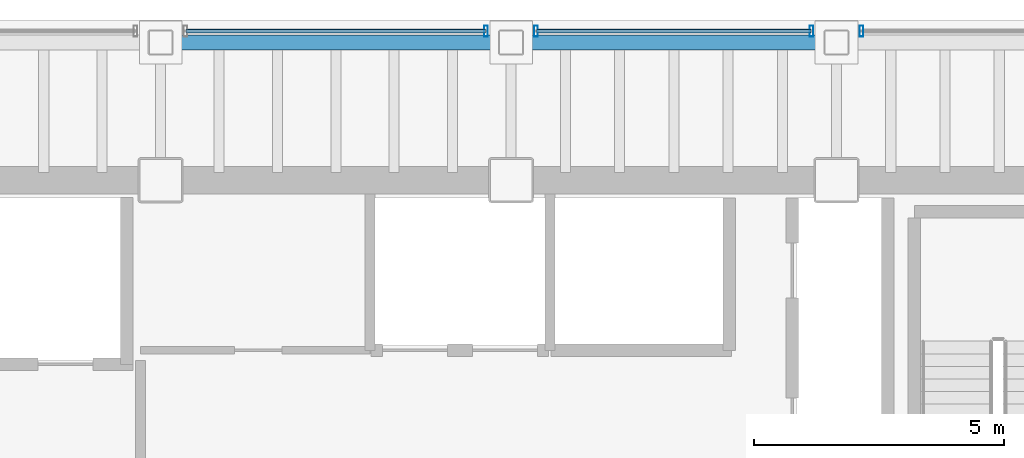
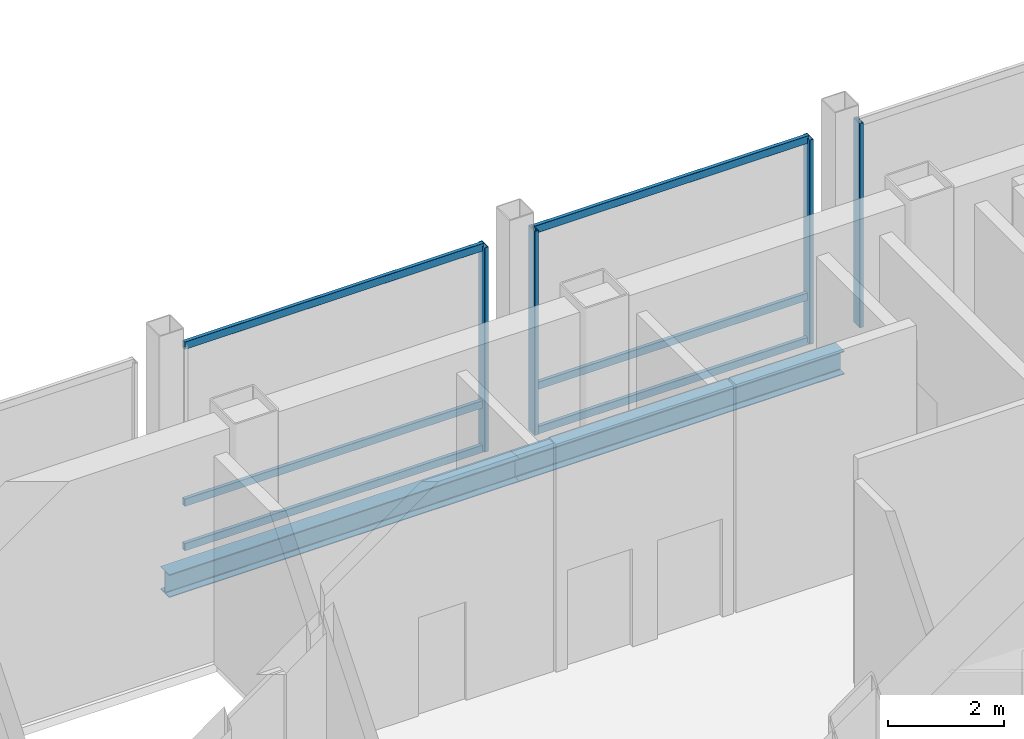
# One storey, part 15 of 22: 10 members, 2 beams, 3 elements without a shape of their own.
"""IFC4 building model written with IfcOpenShell, lengths in metres."""

from ifc_helpers import new_model, si_unit, direction, frame, origin, origin_2d, place, context, subcontext, project, spatial, hollow_rectangle, i_section, extrude, material, material_profile, profile_set, type_object, element, aggregate, save


model = new_model("IFC4")

# Units and contexts
model_context = context("Model", 3, precision=1e-05, world=origin(), true_north=direction((0.0, 1.0)))
body_context = subcontext(model_context, "Body", "Model", "MODEL_VIEW")
ifc_project = project(units=[si_unit("LENGTHUNIT", "METRE"), si_unit("AREAUNIT", "SQUARE_METRE"), si_unit("VOLUMEUNIT", "CUBIC_METRE"), si_unit("PLANEANGLEUNIT", "RADIAN"), si_unit("MASSUNIT", "GRAM", prefix="KILO")], contexts=[model_context])

# Site, building, storey
site_placement = place(None, origin())
site = spatial("IfcSite", under=ifc_project, at=site_placement, CompositionType="ELEMENT")
building_placement = place(site_placement, origin())
building = spatial("IfcBuilding", under=site, at=building_placement, Name="Noeulbin Bourse Tower", CompositionType="ELEMENT")
storey_placement = place(building_placement, frame((0.0, 0.0, 106.0)))
storey = spatial("IfcBuildingStorey", under=building, at=storey_placement, Name="L26", CompositionType="ELEMENT", Elevation=106.0)

# Beams
ifc_material_1 = material(Name="Steel S355", Category="steel")
ifc_material_profile_1 = material_profile(ifc_material_1, i_section(OverallWidth=0.300048828125, OverallDepth=0.488037109375, WebThickness=0.010986328125, FlangeThickness=0.01806640625, FilletRadius=0.02197265625, at=origin_2d()), Name="H-488x300x11x18", Category="LoadBearing")
ifc_profile_set_1 = profile_set([ifc_material_profile_1], Name="Steel S355")
beam_type = type_object("IfcBeamType", Name="BM-SPN-488", PredefinedType="SPANDREL", material=ifc_profile_set_1)
beam_1_placement = place(storey_placement, frame((24.0, 41.050048828125, -0.424072265625), z_axis=(1.0, 0.0, 0.0), x_axis=(0.0, 1.0, 0.0)))
element("IfcBeam", 1, at=beam_1_placement, inside=storey, type_object=beam_type, Name="North Spandrel L26-2", PredefinedType="SPANDREL", context=body_context, shape_type="SweptSolid", body=[
    extrude(i_section(OverallWidth=0.300048828125, OverallDepth=0.488037109375, WebThickness=0.010986328125, FlangeThickness=0.01806640625, FilletRadius=0.02197265625, at=origin_2d()), origin(), (0.0, 0.0, 1.0), 7.0),
])
beam_2_placement = place(storey_placement, frame((31.0, 41.050048828125, -0.424072265625), z_axis=(1.0, 0.0, 0.0), x_axis=(0.0, 1.0, 0.0)))
element("IfcBeam", 2, at=beam_2_placement, inside=storey, type_object=beam_type, Name="North Spandrel L26-3", PredefinedType="SPANDREL", context=body_context, shape_type="SweptSolid", body=[
    extrude(i_section(OverallWidth=0.300048828125, OverallDepth=0.488037109375, WebThickness=0.010986328125, FlangeThickness=0.01806640625, FilletRadius=0.02197265625, at=origin_2d()), origin(), (0.0, 0.0, 1.0), 6.5),
])

# Curtain wall, member
ifc_material_2 = material(Name="Dark Tinted Triple Glazing", Category="glass")
curtain_wall_type = type_object("IfcCurtainWallType", Name="CW-SYS-3", PredefinedType="NOTDEFINED", material=ifc_material_2)
curtain_wall_1_placement = place(storey_placement, origin())
curtain_wall_1 = element("IfcCurtainWall", 3, at=curtain_wall_1_placement, inside=storey, type_object=curtain_wall_type, Name="Unitised Curtain Wall CW-L26-N-S3", PredefinedType="NOTDEFINED")
ifc_material_3 = material(Name="Anodised Aluminium 6063-T6", Category="aluminium")
ifc_material_profile_2 = material_profile(ifc_material_3, hollow_rectangle(XDim=0.074951171875, YDim=0.219970703125, WallThickness=0.0048828125, InnerFilletRadius=0.00244140625, OuterFilletRadius=0.0048828125, at=origin_2d()), Name="ALU-MULL-75x220x5", Category="LoadBearing")
ifc_profile_set_2 = profile_set([ifc_material_profile_2], Name="Anodised Aluminium 6063-T6")
member_type_1 = type_object("IfcMemberType", Name="CW-SYS-3-MUL", PredefinedType="MULLION", material=ifc_profile_set_2)
member_1_placement = place(storey_placement, frame((30.5, 41.280029296875, -0.02001953125), z_axis=(0.0, 0.0, 1.0), x_axis=(1.0, 0.0, 0.0)))
member_1 = element("IfcMember", 4, at=member_1_placement, type_object=member_type_1, Name="Curtain Wall Mullion CW-L26-N-S3-M01", PredefinedType="MULLION", context=body_context, shape_type="SweptSolid", body=[
    extrude(hollow_rectangle(XDim=0.074951171875, YDim=0.219970703125, WallThickness=0.0048828125, InnerFilletRadius=0.00244140625, OuterFilletRadius=0.0048828125, at=origin_2d()), origin(), (0.0, 0.0, 1.0), 4.320068359375),
])

# Curtain wall, members
curtain_wall_2_placement = place(storey_placement, origin())
curtain_wall_2 = element("IfcCurtainWall", 5, at=curtain_wall_2_placement, inside=storey, type_object=curtain_wall_type, Name="Unitised Curtain Wall CW-L26-N-S4", PredefinedType="NOTDEFINED")
member_2_placement = place(storey_placement, frame((31.5, 41.280029296875, -0.02001953125), z_axis=(0.0, 0.0, 1.0), x_axis=(1.0, 0.0, 0.0)))
member_2 = element("IfcMember", 6, at=member_2_placement, type_object=member_type_1, Name="Curtain Wall Mullion CW-L26-N-S4-M00", PredefinedType="MULLION", context=body_context, shape_type="SweptSolid", body=[
    extrude(hollow_rectangle(XDim=0.074951171875, YDim=0.219970703125, WallThickness=0.0048828125, InnerFilletRadius=0.00244140625, OuterFilletRadius=0.0048828125, at=origin_2d()), origin(), (0.0, 0.0, 1.0), 4.320068359375),
])
member_3_placement = place(storey_placement, frame((37.0, 41.280029296875, -0.02001953125), z_axis=(0.0, 0.0, 1.0), x_axis=(1.0, 0.0, 0.0)))
member_3 = element("IfcMember", 7, at=member_3_placement, type_object=member_type_1, Name="Curtain Wall Mullion CW-L26-N-S4-M01", PredefinedType="MULLION", context=body_context, shape_type="SweptSolid", body=[
    extrude(hollow_rectangle(XDim=0.074951171875, YDim=0.219970703125, WallThickness=0.0048828125, InnerFilletRadius=0.00244140625, OuterFilletRadius=0.0048828125, at=origin_2d()), origin(), (0.0, 0.0, 1.0), 4.320068359375),
])

# Curtain wall, member
curtain_wall_3_placement = place(storey_placement, origin())
curtain_wall_3 = element("IfcCurtainWall", 8, at=curtain_wall_3_placement, inside=storey, type_object=curtain_wall_type, Name="Unitised Curtain Wall CW-L26-N-S5", PredefinedType="NOTDEFINED")
member_4_placement = place(storey_placement, frame((38.0, 41.280029296875, -0.02001953125), z_axis=(0.0, 0.0, 1.0), x_axis=(1.0, 0.0, 0.0)))
member_4 = element("IfcMember", 9, at=member_4_placement, type_object=member_type_1, Name="Curtain Wall Mullion CW-L26-N-S5-M00", PredefinedType="MULLION", context=body_context, shape_type="SweptSolid", body=[
    extrude(hollow_rectangle(XDim=0.074951171875, YDim=0.219970703125, WallThickness=0.0048828125, InnerFilletRadius=0.00244140625, OuterFilletRadius=0.0048828125, at=origin_2d()), origin(), (0.0, 0.0, 1.0), 4.320068359375),
])
aggregate(curtain_wall_3, [member_4])

# Member
ifc_material_profile_3 = material_profile(ifc_material_3, hollow_rectangle(XDim=0.074951171875, YDim=0.159912109375, WallThickness=0.0048828125, InnerFilletRadius=0.00244140625, OuterFilletRadius=0.0048828125, at=origin_2d()), Name="ALU-TRAN-75x160x5", Category="LoadBearing")
ifc_profile_set_3 = profile_set([ifc_material_profile_3], Name="Anodised Aluminium 6063-T6")
member_type_2 = type_object("IfcMemberType", Name="CW-SYS-3-TRN", PredefinedType="USERDEFINED", material=ifc_profile_set_3)
member_5_placement = place(storey_placement, frame((24.510009765625, 41.280029296875, 0.010009765625), z_axis=(1.0, 0.0, 0.0), x_axis=(0.0, 1.0, 0.0)))
member_5 = element("IfcMember", 10, at=member_5_placement, type_object=member_type_2, Name="Curtain Wall Transom CW-L26-N-S3-T00", ObjectType="TRANSOM", PredefinedType="USERDEFINED", context=body_context, shape_type="SweptSolid", body=[
    extrude(hollow_rectangle(XDim=0.074951171875, YDim=0.159912109375, WallThickness=0.0048828125, InnerFilletRadius=0.00244140625, OuterFilletRadius=0.0048828125, at=origin_2d()), origin(), (0.0, 0.0, 1.0), 5.97998046875),
])

member_6_placement = place(storey_placement, frame((24.510009765625, 41.280029296875, 0.949951171875), z_axis=(1.0, 0.0, 0.0), x_axis=(0.0, 1.0, 0.0)))
member_6 = element("IfcMember", 11, at=member_6_placement, type_object=member_type_2, Name="Curtain Wall Transom CW-L26-N-S3-T01", ObjectType="TRANSOM", PredefinedType="USERDEFINED", context=body_context, shape_type="SweptSolid", body=[
    extrude(hollow_rectangle(XDim=0.074951171875, YDim=0.159912109375, WallThickness=0.0048828125, InnerFilletRadius=0.00244140625, OuterFilletRadius=0.0048828125, at=origin_2d()), origin(), (0.0, 0.0, 1.0), 5.97998046875),
])

member_7_placement = place(storey_placement, frame((24.510009765625, 41.280029296875, 4.27001953125), z_axis=(1.0, 0.0, 0.0), x_axis=(0.0, 1.0, 0.0)))
member_7 = element("IfcMember", 12, at=member_7_placement, type_object=member_type_2, Name="Curtain Wall Transom CW-L26-N-S3-T02", ObjectType="TRANSOM", PredefinedType="USERDEFINED", context=body_context, shape_type="SweptSolid", body=[
    extrude(hollow_rectangle(XDim=0.074951171875, YDim=0.159912109375, WallThickness=0.0048828125, InnerFilletRadius=0.00244140625, OuterFilletRadius=0.0048828125, at=origin_2d()), origin(), (0.0, 0.0, 1.0), 5.97998046875),
])

aggregate(curtain_wall_1, [member_1, member_5, member_6, member_7])

member_8_placement = place(storey_placement, frame((31.510009765625, 41.280029296875, 0.010009765625), z_axis=(1.0, 0.0, 0.0), x_axis=(0.0, 1.0, 0.0)))
member_8 = element("IfcMember", 13, at=member_8_placement, type_object=member_type_2, Name="Curtain Wall Transom CW-L26-N-S4-T00", ObjectType="TRANSOM", PredefinedType="USERDEFINED", context=body_context, shape_type="SweptSolid", body=[
    extrude(hollow_rectangle(XDim=0.074951171875, YDim=0.159912109375, WallThickness=0.0048828125, InnerFilletRadius=0.00244140625, OuterFilletRadius=0.0048828125, at=origin_2d()), origin(), (0.0, 0.0, 1.0), 5.47998046875),
])

member_9_placement = place(storey_placement, frame((31.510009765625, 41.280029296875, 0.949951171875), z_axis=(1.0, 0.0, 0.0), x_axis=(0.0, 1.0, 0.0)))
member_9 = element("IfcMember", 14, at=member_9_placement, type_object=member_type_2, Name="Curtain Wall Transom CW-L26-N-S4-T01", ObjectType="TRANSOM", PredefinedType="USERDEFINED", context=body_context, shape_type="SweptSolid", body=[
    extrude(hollow_rectangle(XDim=0.074951171875, YDim=0.159912109375, WallThickness=0.0048828125, InnerFilletRadius=0.00244140625, OuterFilletRadius=0.0048828125, at=origin_2d()), origin(), (0.0, 0.0, 1.0), 5.47998046875),
])

member_10_placement = place(storey_placement, frame((31.510009765625, 41.280029296875, 4.27001953125), z_axis=(1.0, 0.0, 0.0), x_axis=(0.0, 1.0, 0.0)))
member_10 = element("IfcMember", 15, at=member_10_placement, type_object=member_type_2, Name="Curtain Wall Transom CW-L26-N-S4-T02", ObjectType="TRANSOM", PredefinedType="USERDEFINED", context=body_context, shape_type="SweptSolid", body=[
    extrude(hollow_rectangle(XDim=0.074951171875, YDim=0.159912109375, WallThickness=0.0048828125, InnerFilletRadius=0.00244140625, OuterFilletRadius=0.0048828125, at=origin_2d()), origin(), (0.0, 0.0, 1.0), 5.47998046875),
])

aggregate(curtain_wall_2, [member_2, member_3, member_8, member_9, member_10])

save(model, "model.ifc")
